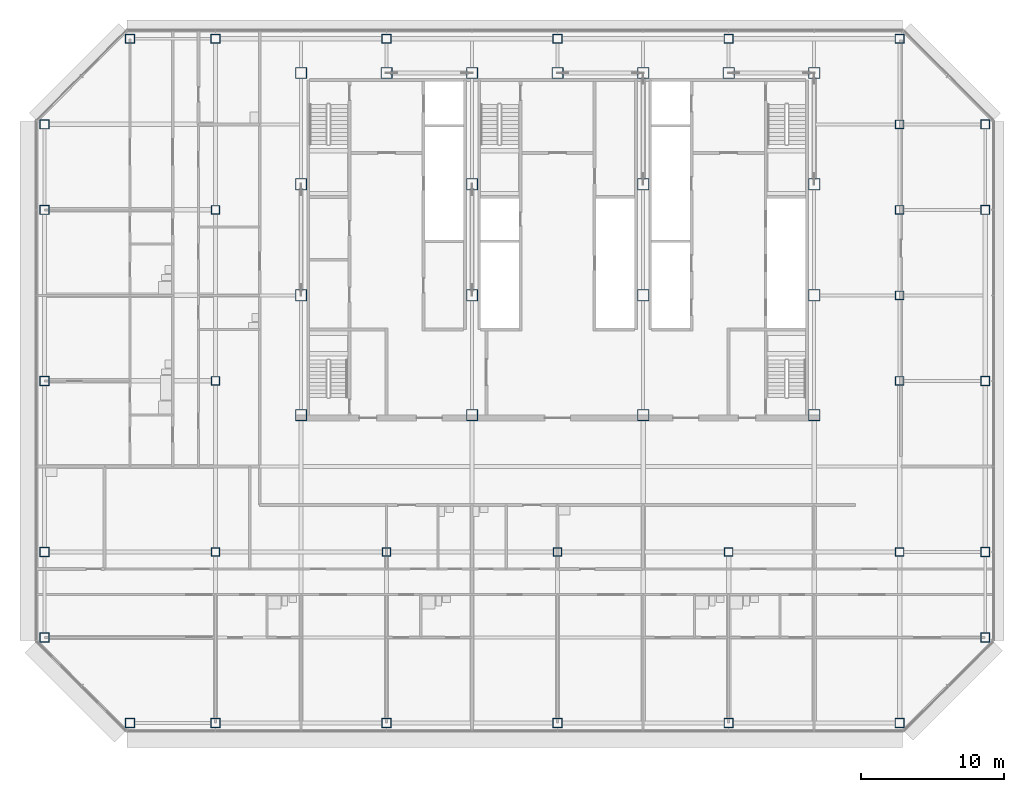
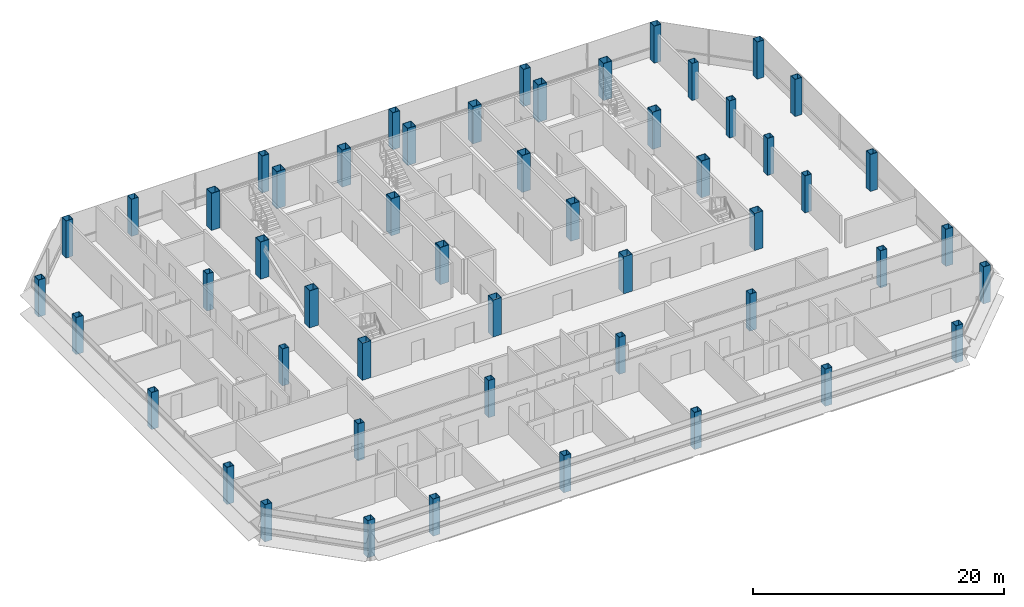
# One storey, part 1 of 27: 52 columns.
"""IFC4 building model written with IfcOpenShell, lengths in metres."""

import ifcopenshell
import ifcopenshell.guid

model = None  # the IFC model being written
_history = None  # IfcOwnerHistory: only IFC2X3 demands one
_inside = {}  # id of a spatial element -> (the spatial element, [elements in it])
_under = {}  # id of a project, library or spatial element -> (it, [spatial elements below it])
_declared = {}  # id of a project -> (the project, [libraries it declares])
_typed = {}  # id of a type object -> (the type object, [elements of that type])
_made_of = {}  # id of a material, layer set ... -> (it, [elements and type objects made of it])


def new_model(schema):
    """Start an empty IFC model of exactly this schema.

    Asked for "IFC4X3", IfcOpenShell would pick the latest addendum, in which some entities
    have other attributes; the version numbers below select the first issue.
    IFC2X3 requires an IfcOwnerHistory on every rooted entity: one is made here for all.
    """
    global model, _history
    if schema == "IFC4X3":
        model = ifcopenshell.file(schema_version=(4, 3, 0, 0))
    else:
        model = ifcopenshell.file(schema=schema)
    _inside.clear()
    _under.clear()
    _declared.clear()
    _typed.clear()
    _made_of.clear()
    _history = None
    if model.schema == "IFC2X3":
        org = make("IfcOrganization", Name="unknown")
        user = make(
            "IfcPersonAndOrganization",
            ThePerson=make("IfcPerson", FamilyName="unknown"),
            TheOrganization=org,
        )
        app = make(
            "IfcApplication",
            ApplicationDeveloper=org,
            Version="unknown",
            ApplicationFullName="unknown",
            ApplicationIdentifier="unknown",
        )
        _history = make(
            "IfcOwnerHistory",
            OwningUser=user,
            OwningApplication=app,
            ChangeAction="ADDED",
            CreationDate=0,
        )
    return model


def make(cls, **values):
    """One entity of the class cls with the attributes given. An attribute that is None is left unset."""
    return model.create_entity(
        cls, **{name: value for name, value in values.items() if value is not None}
    )


def rooted(cls, **values):
    """An entity with a GlobalId (a new one), such as an element, a storey or a relation."""
    return make(cls, GlobalId=ifcopenshell.guid.new(), OwnerHistory=_history, **values)


def si_unit(unit_type, name, prefix=None):
    """IfcSIUnit, for example si_unit("LENGTHUNIT", "METRE", prefix="MILLI")."""
    return make("IfcSIUnit", UnitType=unit_type, Prefix=prefix, Name=name)


def assignment(units):
    """IfcUnitAssignment: the units of a project."""
    return None if units is None else make("IfcUnitAssignment", Units=units)


def point(xyz):
    """IfcCartesianPoint."""
    return None if xyz is None else make("IfcCartesianPoint", Coordinates=xyz)


def direction(xyz):
    """IfcDirection."""
    return None if xyz is None else make("IfcDirection", DirectionRatios=xyz)


def frame(location, z_axis=None, x_axis=None):
    """IfcAxis2Placement3D, a coordinate frame: its origin and axes. An axis left out is left unset."""
    return make(
        "IfcAxis2Placement3D",
        Location=point(location),
        Axis=direction(z_axis),
        RefDirection=direction(x_axis),
    )


def frame_2d(location, x_axis=None):
    """IfcAxis2Placement2D, a coordinate frame in the plane: its origin and x axis."""
    return make(
        "IfcAxis2Placement2D", Location=point(location), RefDirection=direction(x_axis)
    )


def origin():
    """The frame at (0, 0, 0) with its axes left unset."""
    return frame((0.0, 0.0, 0.0))


def origin_2d():
    """The frame at (0, 0) in the plane with its x axis left unset."""
    return frame_2d((0.0, 0.0))


def place(relative_to, where):
    """IfcLocalPlacement: puts the frame where relative to a parent placement (None: the world)."""
    return make(
        "IfcLocalPlacement", PlacementRelTo=relative_to, RelativePlacement=where
    )


def context(
    kind, dimensions, precision=None, world=None, true_north=None, identifier=None
):
    """IfcGeometricRepresentationContext, for example the 3D "Model" context."""
    return make(
        "IfcGeometricRepresentationContext",
        ContextIdentifier=identifier,
        ContextType=kind,
        CoordinateSpaceDimension=dimensions,
        Precision=precision,
        WorldCoordinateSystem=world,
        TrueNorth=true_north,
    )


def subcontext(parent, identifier, kind, view, scale=None):
    """IfcGeometricRepresentationSubContext, for example "Body" below "Model"."""
    return make(
        "IfcGeometricRepresentationSubContext",
        ContextIdentifier=identifier,
        ContextType=kind,
        ParentContext=parent,
        TargetScale=scale,
        TargetView=view,
    )


def project(units=None, contexts=None):
    """IfcProject with its units and contexts."""
    return rooted(
        "IfcProject",
        Name="project",
        RepresentationContexts=contexts,
        UnitsInContext=assignment(units),
    )


def spatial(cls, under=None, at=None, **own):
    """A site, building, storey or space (cls), placed at a placement, below another one or the project."""
    s = rooted(cls, ObjectPlacement=at, **own)
    if under is not None:
        _under.setdefault(under.id(), (under, []))[1].append(s)
    return s


def profile(cls, at=None, kind="AREA", **sizes):
    """A parametric profile (cls). Its sizes go by their IFC names, for example OverallWidth=200.0."""
    return make(cls, ProfileType=kind, Position=at, **sizes)


def hollow_rectangle(**sizes):
    """IfcRectangleHollowProfileDef."""
    return profile("IfcRectangleHollowProfileDef", **sizes)


def extrude(swept, where, along, depth):
    """IfcExtrudedAreaSolid: the profile swept, set in the frame where, extruded along a direction by depth."""
    return make(
        "IfcExtrudedAreaSolid",
        SweptArea=swept,
        Position=where,
        ExtrudedDirection=direction(along),
        Depth=depth,
    )


def shape(context_of_items, identifier, shape_type, items):
    """IfcShapeRepresentation: the items that make up one representation, for example the "Body"."""
    return make(
        "IfcShapeRepresentation",
        ContextOfItems=context_of_items,
        RepresentationIdentifier=identifier,
        RepresentationType=shape_type,
        Items=items,
    )


def material(Name=None, Category=None):
    """IfcMaterial."""
    return make("IfcMaterial", Name=Name, Category=Category)


def material_profile(
    of_material, cross_section, Name=None, Category=None, Priority=None
):
    """IfcMaterialProfile: a cross section and its material."""
    return make(
        "IfcMaterialProfile",
        Name=Name,
        Material=of_material,
        Profile=cross_section,
        Priority=Priority,
        Category=Category,
    )


def profile_set(profiles, Name=None, composite=None):
    """IfcMaterialProfileSet."""
    return make(
        "IfcMaterialProfileSet",
        Name=Name,
        MaterialProfiles=profiles,
        CompositeProfile=composite,
    )


def made_of(thing, what):
    """Note that an element or type object is made of a material, layer set ...; save() writes the relation."""
    if what is not None:
        _made_of.setdefault(what.id(), (what, []))[1].append(thing)
    return thing


def type_object(cls, material=None, **own):
    """A type object (cls), such as IfcWallType, which elements share."""
    return made_of(rooted(cls, **own), material)


def element(
    cls,
    number,
    at=None,
    inside=None,
    cuts=None,
    type_object=None,
    material=None,
    context=None,
    identifier="Body",
    shape_type=None,
    held_by="IfcProductDefinitionShape",
    body=None,
    shapes=None,
    **own,
):
    """One element of the class cls, such as IfcWall. Its Tag is "e" and its number.

    at: its placement. inside: the storey or other place that contains it. cuts: it is an
    opening in that element (IfcRelVoidsElement). A single representation is given by context,
    identifier, shape_type and body (its items); several are given by shapes. held_by: the class
    of the entity that holds the representations. save() writes the other relations.
    """
    e = rooted(cls, Tag="e%d" % number, ObjectPlacement=at, **own)
    if body is not None:
        shapes = [shape(context, identifier, shape_type, body)]
    if shapes is not None:
        e.Representation = make(held_by, Representations=shapes)
    if inside is not None:
        _inside.setdefault(inside.id(), (inside, []))[1].append(e)
    if cuts is not None:
        rooted(
            "IfcRelVoidsElement", RelatingBuildingElement=cuts, RelatedOpeningElement=e
        )
    if type_object is not None:
        _typed.setdefault(type_object.id(), (type_object, []))[1].append(e)
    return made_of(e, material)


def aggregate(whole, parts):
    """IfcRelAggregates: a whole, such as a stair, and the parts it consists of."""
    return rooted("IfcRelAggregates", RelatingObject=whole, RelatedObjects=parts)


def save(model, path):
    """Write the relations noted so far, then the file.

    IfcRelAggregates (storeys below a building ...), IfcRelContainedInSpatialStructure (elements
    in a storey), IfcRelDefinesByType, IfcRelAssociatesMaterial and IfcRelDeclares: one each for
    every whole, place, type object, material and project.
    """
    for whole, parts in _under.values():
        aggregate(whole, parts)
    for where, things in _inside.values():
        rooted(
            "IfcRelContainedInSpatialStructure",
            RelatedElements=things,
            RelatingStructure=where,
        )
    for kind, things in _typed.values():
        rooted("IfcRelDefinesByType", RelatedObjects=things, RelatingType=kind)
    for what, things in _made_of.values():
        rooted("IfcRelAssociatesMaterial", RelatedObjects=things, RelatingMaterial=what)
    for by, libraries in _declared.values():
        rooted("IfcRelDeclares", RelatingContext=by, RelatedDefinitions=libraries)
    model.write(path)


model = new_model("IFC4")

# Units and contexts
model_context = context("Model", 3, precision=1e-05, world=origin(), true_north=direction((0.0, 1.0)))
body_context = subcontext(model_context, "Body", "Model", "MODEL_VIEW")
ifc_project = project(units=[si_unit("LENGTHUNIT", "METRE"), si_unit("AREAUNIT", "SQUARE_METRE"), si_unit("VOLUMEUNIT", "CUBIC_METRE"), si_unit("PLANEANGLEUNIT", "RADIAN"), si_unit("MASSUNIT", "GRAM", prefix="KILO")], contexts=[model_context])

# Site, building, storey
site_placement = place(None, origin())
site = spatial("IfcSite", under=ifc_project, at=site_placement, CompositionType="ELEMENT")
building_placement = place(site_placement, origin())
building = spatial("IfcBuilding", under=site, at=building_placement, Name="Sorahane Residences", CompositionType="ELEMENT")
storey_placement = place(building_placement, frame((0.0, 0.0, 206.39990234375)))
storey = spatial("IfcBuildingStorey", under=building, at=storey_placement, Name="L48", CompositionType="ELEMENT", Elevation=206.39990234375)

# Columns
ifc_material_1 = material(Name="Steel Q355B", Category="steel")
ifc_material_profile_1 = material_profile(ifc_material_1, hollow_rectangle(XDim=0.60009765625, YDim=0.60009765625, WallThickness=0.028076171875, at=origin_2d()), Name="BOX 600x600x28")
ifc_profile_set_1 = profile_set([ifc_material_profile_1], Name="Steel Q355B")
column_type_1 = type_object("IfcColumnType", Name="Steel box column BOX 600x600x28 Q355B", PredefinedType="COLUMN", material=ifc_profile_set_1)
for number, where, z_axis, x_axis, name in (
    (1, (0.0, 12.0, 0.0), (0.0, 0.0, 1.0), (1.0, 0.0, 0.0), "Column L48 0/12"),
    (2, (0.0, 24.0, 0.0), (0.0, 0.0, 1.0), (1.0, 0.0, 0.0), "Column L48 0/24"),
    (3, (0.0, 36.0, 0.0), (0.0, 0.0, 1.0), (1.0, 0.0, 0.0), "Column L48 0/36"),
    (4, (12.0, 12.0, 0.0), (0.0, 0.0, 1.0), (1.0, 0.0, 0.0), "Column L48 12/12"),
    (5, (24.0, 12.0, 0.0), (0.0, 0.0, 1.0), (1.0, 0.0, 0.0), "Column L48 24/12"),
    (6, (36.0, 12.0, 0.0), (0.0, 0.0, 1.0), (1.0, 0.0, 0.0), "Column L48 36/12"),
    (7, (48.0, 12.0, 0.0), (0.0, 0.0, 1.0), (1.0, 0.0, 0.0), "Column L48 48/12"),
    (8, (48.0, 24.0, 0.0), (0.0, 0.0, 1.0), (1.0, 0.0, 0.0), "Column L48 48/24"),
    (9, (48.0, 30.0, 0.0), (0.0, 0.0, 1.0), (1.0, 0.0, 0.0), "Column L48 48/30"),
    (10, (48.0, 36.0, 0.0), (0.0, 0.0, 1.0), (1.0, 0.0, 0.0), "Column L48 48/36"),
    (11, (48.0, 42.0, 0.0), (0.0, 0.0, 1.0), (1.0, 0.0, 0.0), "Column L48 48/42"),
):
    element("IfcColumn", number, at=place(storey_placement, frame(where, z_axis=z_axis, x_axis=x_axis)), inside=storey, type_object=column_type_1, Name=name, PredefinedType="COLUMN", context=body_context, shape_type="SweptSolid", body=[
        extrude(hollow_rectangle(XDim=0.60009765625, YDim=0.60009765625, WallThickness=0.028076171875, at=origin_2d()), origin(), (0.0, 0.0, 1.0), 3.60009765625),
    ])
ifc_material_2 = material(Name="Steel Q355B", Category="steel")
ifc_material_profile_2 = material_profile(ifc_material_2, hollow_rectangle(XDim=0.64990234375, YDim=0.64990234375, WallThickness=0.031982421875, at=origin_2d()), Name="BOX 650x650x32")
ifc_profile_set_2 = profile_set([ifc_material_profile_2], Name="Steel Q355B")
column_type_2 = type_object("IfcColumnType", Name="Steel box column BOX 650x650x32 Q355B", PredefinedType="COLUMN", material=ifc_profile_set_2)
for number, where, z_axis, x_axis, name in (
    (12, (-12.0, 6.0, 0.0), (0.0, 0.0, 1.0), (1.0, 0.0, 0.0), "Column L48 m12/6"),
    (13, (-12.0, 12.0, 0.0), (0.0, 0.0, 1.0), (1.0, 0.0, 0.0), "Column L48 m12/12"),
    (14, (-12.0, 24.0, 0.0), (0.0, 0.0, 1.0), (1.0, 0.0, 0.0), "Column L48 m12/24"),
    (15, (-12.0, 36.0, 0.0), (0.0, 0.0, 1.0), (1.0, 0.0, 0.0), "Column L48 m12/36"),
    (16, (-12.0, 42.0, 0.0), (0.0, 0.0, 1.0), (1.0, 0.0, 0.0), "Column L48 m12/42"),
    (17, (-6.0, 0.0, 0.0), (0.0, 0.0, 1.0), (1.0, 0.0, 0.0), "Column L48 m6/0"),
    (18, (-6.0, 48.0, 0.0), (0.0, 0.0, 1.0), (1.0, 0.0, 0.0), "Column L48 m6/48"),
    (19, (0.0, 0.0, 0.0), (0.0, 0.0, 1.0), (1.0, 0.0, 0.0), "Column L48 0/0"),
    (20, (0.0, 48.0, 0.0), (0.0, 0.0, 1.0), (1.0, 0.0, 0.0), "Column L48 0/48"),
    (21, (12.0, 0.0, 0.0), (0.0, 0.0, 1.0), (1.0, 0.0, 0.0), "Column L48 12/0"),
    (22, (12.0, 48.0, 0.0), (0.0, 0.0, 1.0), (1.0, 0.0, 0.0), "Column L48 12/48"),
    (23, (24.0, 0.0, 0.0), (0.0, 0.0, 1.0), (1.0, 0.0, 0.0), "Column L48 24/0"),
    (24, (24.0, 48.0, 0.0), (0.0, 0.0, 1.0), (1.0, 0.0, 0.0), "Column L48 24/48"),
    (25, (36.0, 0.0, 0.0), (0.0, 0.0, 1.0), (1.0, 0.0, 0.0), "Column L48 36/0"),
    (26, (36.0, 48.0, 0.0), (0.0, 0.0, 1.0), (1.0, 0.0, 0.0), "Column L48 36/48"),
    (27, (48.0, 0.0, 0.0), (0.0, 0.0, 1.0), (1.0, 0.0, 0.0), "Column L48 48/0"),
    (28, (48.0, 48.0, 0.0), (0.0, 0.0, 1.0), (1.0, 0.0, 0.0), "Column L48 48/48"),
    (29, (54.0, 6.0, 0.0), (0.0, 0.0, 1.0), (1.0, 0.0, 0.0), "Column L48 54/6"),
    (30, (54.0, 12.0, 0.0), (0.0, 0.0, 1.0), (1.0, 0.0, 0.0), "Column L48 54/12"),
    (31, (54.0, 24.0, 0.0), (0.0, 0.0, 1.0), (1.0, 0.0, 0.0), "Column L48 54/24"),
    (32, (54.0, 36.0, 0.0), (0.0, 0.0, 1.0), (1.0, 0.0, 0.0), "Column L48 54/36"),
    (33, (54.0, 42.0, 0.0), (0.0, 0.0, 1.0), (1.0, 0.0, 0.0), "Column L48 54/42"),
):
    element("IfcColumn", number, at=place(storey_placement, frame(where, z_axis=z_axis, x_axis=x_axis)), inside=storey, type_object=column_type_2, Name=name, PredefinedType="COLUMN", context=body_context, shape_type="SweptSolid", body=[
        extrude(hollow_rectangle(XDim=0.64990234375, YDim=0.64990234375, WallThickness=0.031982421875, at=origin_2d()), origin(), (0.0, 0.0, 1.0), 3.60009765625),
    ])
ifc_material_3 = material(Name="Steel Q355B", Category="steel")
ifc_material_profile_3 = material_profile(ifc_material_3, hollow_rectangle(XDim=0.800048828125, YDim=0.800048828125, WallThickness=0.0400390625, at=origin_2d()), Name="BOX 800x800x40")
ifc_profile_set_3 = profile_set([ifc_material_profile_3], Name="Steel Q355B")
column_type_3 = type_object("IfcColumnType", Name="Steel box column BOX 800x800x40 Q355B", PredefinedType="COLUMN", material=ifc_profile_set_3)
for number, where, z_axis, x_axis, name in (
    (34, (6.0, 21.60009765625, 0.0), (0.0, 0.0, 1.0), (1.0, 0.0, 0.0), "Column L48 6/21.6"),
    (35, (6.0, 30.0, 0.0), (0.0, 0.0, 1.0), (1.0, 0.0, 0.0), "Column L48 6/30"),
    (36, (6.0, 37.800048828125, 0.0), (0.0, 0.0, 1.0), (1.0, 0.0, 0.0), "Column L48 6/37.8"),
    (37, (6.0, 45.60009765625, 0.0), (0.0, 0.0, 1.0), (1.0, 0.0, 0.0), "Column L48 6/45.6"),
    (38, (12.0, 45.60009765625, 0.0), (0.0, 0.0, 1.0), (1.0, 0.0, 0.0), "Column L48 12/45.6"),
    (39, (18.0, 21.60009765625, 0.0), (0.0, 0.0, 1.0), (1.0, 0.0, 0.0), "Column L48 18/21.6"),
    (40, (18.0, 30.0, 0.0), (0.0, 0.0, 1.0), (1.0, 0.0, 0.0), "Column L48 18/30"),
    (41, (18.0, 37.800048828125, 0.0), (0.0, 0.0, 1.0), (1.0, 0.0, 0.0), "Column L48 18/37.8"),
    (42, (18.0, 45.60009765625, 0.0), (0.0, 0.0, 1.0), (1.0, 0.0, 0.0), "Column L48 18/45.6"),
    (43, (24.0, 45.60009765625, 0.0), (0.0, 0.0, 1.0), (1.0, 0.0, 0.0), "Column L48 24/45.6"),
    (44, (30.0, 21.60009765625, 0.0), (0.0, 0.0, 1.0), (1.0, 0.0, 0.0), "Column L48 30/21.6"),
    (45, (30.0, 30.0, 0.0), (0.0, 0.0, 1.0), (1.0, 0.0, 0.0), "Column L48 30/30"),
    (46, (30.0, 37.800048828125, 0.0), (0.0, 0.0, 1.0), (1.0, 0.0, 0.0), "Column L48 30/37.8"),
    (47, (30.0, 45.60009765625, 0.0), (0.0, 0.0, 1.0), (1.0, 0.0, 0.0), "Column L48 30/45.6"),
    (48, (36.0, 45.60009765625, 0.0), (0.0, 0.0, 1.0), (1.0, 0.0, 0.0), "Column L48 36/45.6"),
    (49, (42.0, 21.60009765625, 0.0), (0.0, 0.0, 1.0), (1.0, 0.0, 0.0), "Column L48 42/21.6"),
    (50, (42.0, 30.0, 0.0), (0.0, 0.0, 1.0), (1.0, 0.0, 0.0), "Column L48 42/30"),
    (51, (42.0, 37.800048828125, 0.0), (0.0, 0.0, 1.0), (1.0, 0.0, 0.0), "Column L48 42/37.8"),
    (52, (42.0, 45.60009765625, 0.0), (0.0, 0.0, 1.0), (1.0, 0.0, 0.0), "Column L48 42/45.6"),
):
    element("IfcColumn", number, at=place(storey_placement, frame(where, z_axis=z_axis, x_axis=x_axis)), inside=storey, type_object=column_type_3, Name=name, PredefinedType="COLUMN", context=body_context, shape_type="SweptSolid", body=[
        extrude(hollow_rectangle(XDim=0.800048828125, YDim=0.800048828125, WallThickness=0.0400390625, at=origin_2d()), origin(), (0.0, 0.0, 1.0), 3.60009765625),
    ])

save(model, "model.ifc")
